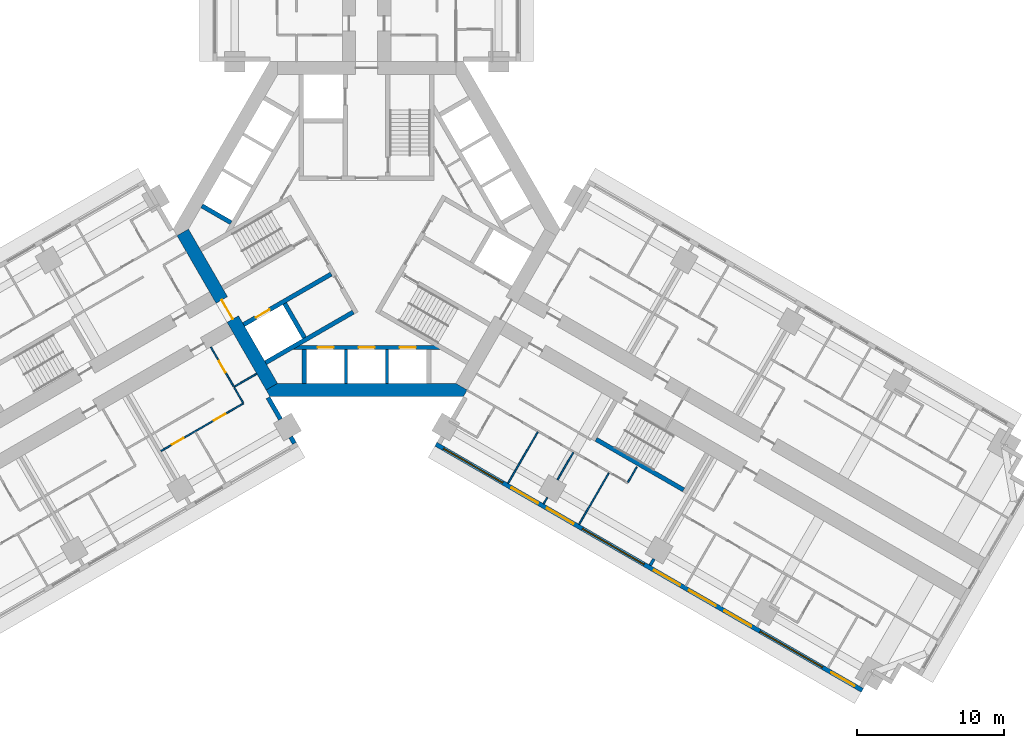
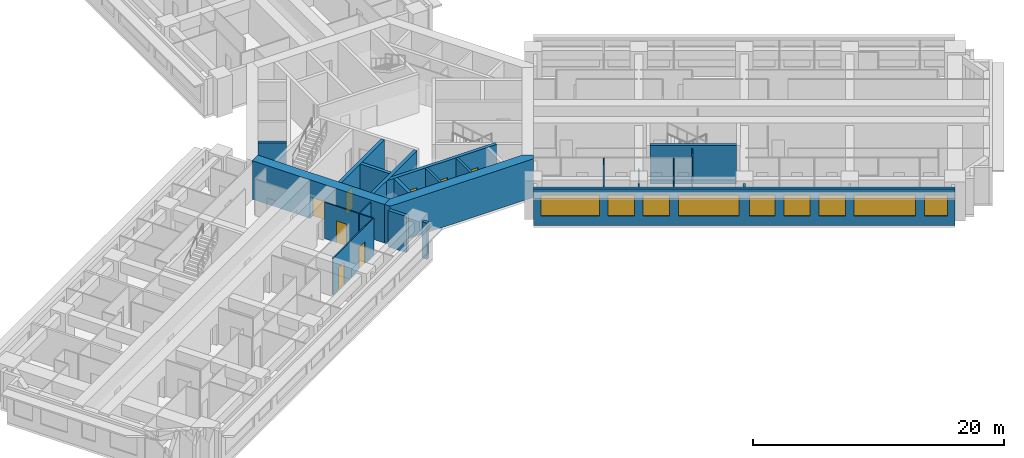
# One storey, part 6 of 15: 24 walls, 9 windows, 8 doors, 17 openings.
"""IFC4 building model written with IfcOpenShell, lengths in metres."""

from ifc_helpers import new_model, si_unit, direction, frame, frame_2d, origin, place, context, subcontext, project, spatial, polyline, rectangle, outline, extrude, material, layer, layer_set, type_object, element, fill, save


model = new_model("IFC4")

# Units and contexts
model_context = context("Model", 3, precision=1e-05, world=origin(), true_north=direction((0.0, 1.0)))
body_context = subcontext(model_context, "Body", "Model", "MODEL_VIEW")
ifc_project = project(units=[si_unit("LENGTHUNIT", "METRE"), si_unit("AREAUNIT", "SQUARE_METRE"), si_unit("VOLUMEUNIT", "CUBIC_METRE"), si_unit("PLANEANGLEUNIT", "RADIAN"), si_unit("MASSUNIT", "GRAM", prefix="KILO")], contexts=[model_context])

# Site, building, storey
site_placement = place(None, origin())
site = spatial("IfcSite", under=ifc_project, at=site_placement, CompositionType="ELEMENT")
building_placement = place(site_placement, origin())
building = spatial("IfcBuilding", under=site, at=building_placement, Name="Impinga Residences", CompositionType="ELEMENT")
storey_placement = place(building_placement, frame((0.0, 0.0, 82.25)))
storey = spatial("IfcBuildingStorey", under=building, at=storey_placement, Name="L20", CompositionType="ELEMENT", Elevation=82.25)

# Wall, openings, windows
ifc_material_1 = material(Name="Terracotta rainscreen on blockwork", Category="masonry")
ifc_layer_1 = layer(ifc_material_1, 0.300048828125)
ifc_layer_set_1 = layer_set([ifc_layer_1], Name="EW1 external wall, terracotta rainscreen on blockwork 300")
wall_type_1 = type_object("IfcWallType", Name="EW1 external wall, terracotta rainscreen on blockwork 300", PredefinedType="SOLIDWALL", material=ifc_layer_set_1)
wall_1_placement = place(storey_placement, frame((33.823486328125, -31.479248046875, 0.0), z_axis=(0.0, 0.0, 1.0), x_axis=(-0.866024291668, 0.500001926238, 0.0)))
wall_1 = element("IfcWall", 1, at=wall_1_placement, inside=storey, type_object=wall_type_1, Name="External wall EW1 L20", PredefinedType="SOLIDWALL", context=body_context, shape_type="SweptSolid", body=[
    extrude(rectangle(XDim=33.599853515625, YDim=0.300048828125, at=frame_2d((16.7998046875, 0.0))), origin(), (0.0, 0.0, 1.0), 3.530029296875),
])
opening_1_placement = place(wall_1_placement, frame((0.60009765625, 0.0, 0.89990234375)))
opening_1 = element("IfcOpeningElement", 2, at=opening_1_placement, cuts=wall_1, Name="Opening W15", PredefinedType="OPENING", context=body_context, shape_type="SweptSolid", body=[
    extrude(rectangle(XDim=1.85009765625, YDim=2.050048828125, at=frame_2d((0.925048828125, 1.02490234375))), frame((0.0, 0.159912109375, 0.0), z_axis=(0.0, -1.0, 0.0), x_axis=(1.0, 0.0, 0.0)), (0.0, 0.0, 1.0), 0.320068359375),
])
opening_2_placement = place(wall_1_placement, frame((3.14990234375, 0.0, 0.89990234375)))
opening_2 = element("IfcOpeningElement", 3, at=opening_2_placement, cuts=wall_1, Name="Opening W16", PredefinedType="OPENING", context=body_context, shape_type="SweptSolid", body=[
    extrude(rectangle(XDim=4.89990234375, YDim=2.050048828125, at=frame_2d((2.449951171875, 1.02490234375))), frame((0.0, 0.159912109375, 0.0), z_axis=(0.0, -1.0, 0.0), x_axis=(1.0, 0.0, 0.0)), (0.0, 0.0, 1.0), 0.320068359375),
])
opening_3_placement = place(wall_1_placement, frame((8.75, 0.0, 0.89990234375)))
opening_3 = element("IfcOpeningElement", 4, at=opening_3_placement, cuts=wall_1, Name="Opening W9", PredefinedType="OPENING", context=body_context, shape_type="SweptSolid", body=[
    extrude(rectangle(XDim=2.10009765625, YDim=2.050048828125, at=frame_2d((1.050048828125, 1.02490234375))), frame((0.0, 0.159912109375, 0.0), z_axis=(0.0, -1.0, 0.0), x_axis=(1.0, 0.0, 0.0)), (0.0, 0.0, 1.0), 0.320068359375),
])
opening_4_placement = place(wall_1_placement, frame((11.550048828125, 0.0, 0.89990234375)))
opening_4 = element("IfcOpeningElement", 5, at=opening_4_placement, cuts=wall_1, Name="Opening W9", PredefinedType="OPENING", context=body_context, shape_type="SweptSolid", body=[
    extrude(rectangle(XDim=2.10009765625, YDim=2.050048828125, at=frame_2d((1.050048828125, 1.02490234375))), frame((0.0, 0.159912109375, 0.0), z_axis=(0.0, -1.0, 0.0), x_axis=(1.0, 0.0, 0.0)), (0.0, 0.0, 1.0), 0.320068359375),
])
opening_5_placement = place(wall_1_placement, frame((14.35009765625, 0.0, 0.89990234375)))
opening_5 = element("IfcOpeningElement", 6, at=opening_5_placement, cuts=wall_1, Name="Opening W14", PredefinedType="OPENING", context=body_context, shape_type="SweptSolid", body=[
    extrude(rectangle(XDim=2.050048828125, YDim=2.050048828125, at=frame_2d((1.02490234375, 1.02490234375))), frame((0.0, 0.159912109375, 0.0), z_axis=(0.0, -1.0, 0.0), x_axis=(1.0, 0.0, 0.0)), (0.0, 0.0, 1.0), 0.320068359375),
])
opening_6_placement = place(wall_1_placement, frame((17.199951171875, 0.0, 0.89990234375)))
opening_6 = element("IfcOpeningElement", 7, at=opening_6_placement, cuts=wall_1, Name="Opening W6", PredefinedType="OPENING", context=body_context, shape_type="SweptSolid", body=[
    extrude(rectangle(XDim=4.85009765625, YDim=2.050048828125, at=frame_2d((2.425048828125, 1.02490234375))), frame((0.0, 0.159912109375, 0.0), z_axis=(0.0, -1.0, 0.0), x_axis=(1.0, 0.0, 0.0)), (0.0, 0.0, 1.0), 0.320068359375),
])
opening_7_placement = place(wall_1_placement, frame((22.75, 0.0, 0.89990234375)))
opening_7 = element("IfcOpeningElement", 8, at=opening_7_placement, cuts=wall_1, Name="Opening W9", PredefinedType="OPENING", context=body_context, shape_type="SweptSolid", body=[
    extrude(rectangle(XDim=2.10009765625, YDim=2.050048828125, at=frame_2d((1.050048828125, 1.02490234375))), frame((0.0, 0.159912109375, 0.0), z_axis=(0.0, -1.0, 0.0), x_axis=(1.0, 0.0, 0.0)), (0.0, 0.0, 1.0), 0.320068359375),
])
opening_8_placement = place(wall_1_placement, frame((25.550048828125, 0.0, 0.89990234375)))
opening_8 = element("IfcOpeningElement", 9, at=opening_8_placement, cuts=wall_1, Name="Opening W9", PredefinedType="OPENING", context=body_context, shape_type="SweptSolid", body=[
    extrude(rectangle(XDim=2.10009765625, YDim=2.050048828125, at=frame_2d((1.050048828125, 1.02490234375))), frame((0.0, 0.159912109375, 0.0), z_axis=(0.0, -1.0, 0.0), x_axis=(1.0, 0.0, 0.0)), (0.0, 0.0, 1.0), 0.320068359375),
])
opening_9_placement = place(wall_1_placement, frame((28.35009765625, 0.0, 0.89990234375)))
opening_9 = element("IfcOpeningElement", 10, at=opening_9_placement, cuts=wall_1, Name="Opening W10", PredefinedType="OPENING", context=body_context, shape_type="SweptSolid", body=[
    extrude(rectangle(XDim=4.64990234375, YDim=2.050048828125, at=frame_2d((2.324951171875, 1.02490234375))), frame((0.0, 0.159912109375, 0.0), z_axis=(0.0, -1.0, 0.0), x_axis=(1.0, 0.0, 0.0)), (0.0, 0.0, 1.0), 0.320068359375),
])
ifc_material_2 = material(Name="Aluminium window, clear double glazing", Category="aluminium")
window_type_1 = type_object("IfcWindowType", Name="W10 ribbon window 4650x2050", PartitioningType="SINGLE_PANEL", PredefinedType="WINDOW", material=ifc_material_2)
window_1_placement = place(opening_9_placement, origin())
window_1 = element("IfcWindow", 11, at=window_1_placement, inside=storey, type_object=window_type_1, Name="Window L20", OverallHeight=2.050048828125, OverallWidth=4.64990234375, PartitioningType="SINGLE_PANEL", PredefinedType="WINDOW", context=body_context, shape_type="SweptSolid", body=[
    extrude(rectangle(XDim=4.64990234375, YDim=2.050048828125, at=frame_2d((2.324951171875, 1.02490234375))), frame((0.0, 0.030029296875, 0.0), z_axis=(0.0, -1.0, 0.0), x_axis=(1.0, 0.0, 0.0)), (0.0, 0.0, 1.0), 0.06005859375),
])
fill(opening_9, window_1)
window_type_2 = type_object("IfcWindowType", Name="W14 ribbon window 2050x2050", PartitioningType="SINGLE_PANEL", PredefinedType="WINDOW", material=ifc_material_2)
window_2_placement = place(opening_5_placement, origin())
window_2 = element("IfcWindow", 12, at=window_2_placement, inside=storey, type_object=window_type_2, Name="Window L20", OverallHeight=2.050048828125, OverallWidth=2.050048828125, PartitioningType="SINGLE_PANEL", PredefinedType="WINDOW", context=body_context, shape_type="SweptSolid", body=[
    extrude(rectangle(XDim=2.050048828125, YDim=2.050048828125, at=frame_2d((1.02490234375, 1.02490234375))), frame((0.0, 0.030029296875, 0.0), z_axis=(0.0, -1.0, 0.0), x_axis=(1.0, 0.0, 0.0)), (0.0, 0.0, 1.0), 0.06005859375),
])
fill(opening_5, window_2)
window_type_3 = type_object("IfcWindowType", Name="W15 ribbon window 1850x2050", PartitioningType="SINGLE_PANEL", PredefinedType="WINDOW", material=ifc_material_2)
window_3_placement = place(opening_1_placement, origin())
window_3 = element("IfcWindow", 13, at=window_3_placement, inside=storey, type_object=window_type_3, Name="Window L20", OverallHeight=2.050048828125, OverallWidth=1.85009765625, PartitioningType="SINGLE_PANEL", PredefinedType="WINDOW", context=body_context, shape_type="SweptSolid", body=[
    extrude(rectangle(XDim=1.85009765625, YDim=2.050048828125, at=frame_2d((0.925048828125, 1.02490234375))), frame((0.0, 0.030029296875, 0.0), z_axis=(0.0, -1.0, 0.0), x_axis=(1.0, 0.0, 0.0)), (0.0, 0.0, 1.0), 0.06005859375),
])
fill(opening_1, window_3)
window_type_4 = type_object("IfcWindowType", Name="W16 ribbon window 4900x2050", PartitioningType="SINGLE_PANEL", PredefinedType="WINDOW", material=ifc_material_2)
window_4_placement = place(opening_2_placement, origin())
window_4 = element("IfcWindow", 14, at=window_4_placement, inside=storey, type_object=window_type_4, Name="Window L20", OverallHeight=2.050048828125, OverallWidth=4.89990234375, PartitioningType="SINGLE_PANEL", PredefinedType="WINDOW", context=body_context, shape_type="SweptSolid", body=[
    extrude(rectangle(XDim=4.89990234375, YDim=2.050048828125, at=frame_2d((2.449951171875, 1.02490234375))), frame((0.0, 0.030029296875, 0.0), z_axis=(0.0, -1.0, 0.0), x_axis=(1.0, 0.0, 0.0)), (0.0, 0.0, 1.0), 0.06005859375),
])
fill(opening_2, window_4)
window_type_5 = type_object("IfcWindowType", Name="W6 ribbon window 4850x2050", PartitioningType="SINGLE_PANEL", PredefinedType="WINDOW", material=ifc_material_2)
window_5_placement = place(opening_6_placement, origin())
window_5 = element("IfcWindow", 15, at=window_5_placement, inside=storey, type_object=window_type_5, Name="Window L20", OverallHeight=2.050048828125, OverallWidth=4.85009765625, PartitioningType="SINGLE_PANEL", PredefinedType="WINDOW", context=body_context, shape_type="SweptSolid", body=[
    extrude(rectangle(XDim=4.85009765625, YDim=2.050048828125, at=frame_2d((2.425048828125, 1.02490234375))), frame((0.0, 0.030029296875, 0.0), z_axis=(0.0, -1.0, 0.0), x_axis=(1.0, 0.0, 0.0)), (0.0, 0.0, 1.0), 0.06005859375),
])
fill(opening_6, window_5)
window_type_6 = type_object("IfcWindowType", Name="W9 ribbon window 2100x2050", PartitioningType="SINGLE_PANEL", PredefinedType="WINDOW", material=ifc_material_2)
window_6_placement = place(opening_3_placement, origin())
window_6 = element("IfcWindow", 16, at=window_6_placement, inside=storey, type_object=window_type_6, Name="Window L20", OverallHeight=2.050048828125, OverallWidth=2.10009765625, PartitioningType="SINGLE_PANEL", PredefinedType="WINDOW", context=body_context, shape_type="SweptSolid", body=[
    extrude(rectangle(XDim=2.10009765625, YDim=2.050048828125, at=frame_2d((1.050048828125, 1.02490234375))), frame((0.0, 0.030029296875, 0.0), z_axis=(0.0, -1.0, 0.0), x_axis=(1.0, 0.0, 0.0)), (0.0, 0.0, 1.0), 0.06005859375),
])
fill(opening_3, window_6)
window_7_placement = place(opening_4_placement, origin())
window_7 = element("IfcWindow", 17, at=window_7_placement, inside=storey, type_object=window_type_6, Name="Window L20", OverallHeight=2.050048828125, OverallWidth=2.10009765625, PartitioningType="SINGLE_PANEL", PredefinedType="WINDOW", context=body_context, shape_type="SweptSolid", body=[
    extrude(rectangle(XDim=2.10009765625, YDim=2.050048828125, at=frame_2d((1.050048828125, 1.02490234375))), frame((0.0, 0.030029296875, 0.0), z_axis=(0.0, -1.0, 0.0), x_axis=(1.0, 0.0, 0.0)), (0.0, 0.0, 1.0), 0.06005859375),
])
fill(opening_4, window_7)
window_8_placement = place(opening_7_placement, origin())
window_8 = element("IfcWindow", 18, at=window_8_placement, inside=storey, type_object=window_type_6, Name="Window L20", OverallHeight=2.050048828125, OverallWidth=2.10009765625, PartitioningType="SINGLE_PANEL", PredefinedType="WINDOW", context=body_context, shape_type="SweptSolid", body=[
    extrude(rectangle(XDim=2.10009765625, YDim=2.050048828125, at=frame_2d((1.050048828125, 1.02490234375))), frame((0.0, 0.030029296875, 0.0), z_axis=(0.0, -1.0, 0.0), x_axis=(1.0, 0.0, 0.0)), (0.0, 0.0, 1.0), 0.06005859375),
])
fill(opening_7, window_8)
window_9_placement = place(opening_8_placement, origin())
window_9 = element("IfcWindow", 19, at=window_9_placement, inside=storey, type_object=window_type_6, Name="Window L20", OverallHeight=2.050048828125, OverallWidth=2.10009765625, PartitioningType="SINGLE_PANEL", PredefinedType="WINDOW", context=body_context, shape_type="SweptSolid", body=[
    extrude(rectangle(XDim=2.10009765625, YDim=2.050048828125, at=frame_2d((1.050048828125, 1.02490234375))), frame((0.0, 0.030029296875, 0.0), z_axis=(0.0, -1.0, 0.0), x_axis=(1.0, 0.0, 0.0)), (0.0, 0.0, 1.0), 0.06005859375),
])
fill(opening_8, window_9)

# Walls
wall_2_placement = place(storey_placement, frame((-6.72998046875, -11.506591796875, 0.0), z_axis=(0.0, 0.0, 1.0), x_axis=(0.500062241894, -0.865989465428, 0.0)))
element("IfcWall", 20, at=wall_2_placement, inside=storey, type_object=wall_type_1, Name="External wall EW1 L20", PredefinedType="SOLIDWALL", context=body_context, shape_type="SweptSolid", body=[
    extrude(rectangle(XDim=1.699951171875, YDim=0.300048828125, at=frame_2d((0.85009765625, 0.0))), origin(), (0.0, 0.0, 1.0), 3.530029296875),
])
wall_3_placement = place(storey_placement, frame((-5.179931640625, -14.191162109375, 0.0), z_axis=(0.0, 0.0, 1.0), x_axis=(0.499919672301, -0.866071776036, 0.0)))
element("IfcWall", 21, at=wall_3_placement, inside=storey, type_object=wall_type_1, Name="External wall EW1 L20", PredefinedType="SOLIDWALL", context=body_context, shape_type="SweptSolid", body=[
    extrude(rectangle(XDim=0.5, YDim=0.300048828125, at=frame_2d((0.25, 0.0))), origin(), (0.0, 0.0, 1.0), 3.530029296875),
])
ifc_material_3 = material(Name="Gypsum board on steel studs", Category="steel")
ifc_layer_2 = layer(ifc_material_3, 0.10009765625)
ifc_layer_set_2 = layer_set([ifc_layer_2], Name="Gypsum board on steel studs")
wall_type_2 = type_object("IfcWallType", Name="IP1 partition 100", PredefinedType="PARTITIONING", material=ifc_layer_set_2)
wall_4_placement = place(storey_placement, frame((-7.5, -9.872802734375, 0.0), z_axis=(0.0, 0.0, 1.0), x_axis=(-0.866047807691, -0.499961193289, 0.0)))
element("IfcWall", 22, at=wall_4_placement, inside=storey, type_object=wall_type_2, Name="Partition L20-WA1:DIV0", PredefinedType="PARTITIONING", context=body_context, shape_type="SweptSolid", body=[
    extrude(rectangle(XDim=1.800048828125, YDim=0.10009765625, at=frame_2d((0.89990234375, 0.0))), origin(), (0.0, 0.0, 1.0), 3.530029296875),
])

# Wall, openings, doors
wall_5_placement = place(storey_placement, frame((-8.408935546875, -11.8984375, 0.0), z_axis=(0.0, 0.0, 1.0), x_axis=(-0.866024837091, -0.50000098154, 0.0)))
wall_5 = element("IfcWall", 23, at=wall_5_placement, inside=storey, type_object=wall_type_2, Name="Partition L20-WA1:STRIP", PredefinedType="PARTITIONING", context=body_context, shape_type="SweptSolid", body=[
    extrude(rectangle(XDim=6.5, YDim=0.10009765625, at=frame_2d((3.25, 0.0))), origin(), (0.0, 0.0, 1.0), 3.530029296875),
])
opening_10_placement = place(wall_5_placement, frame((1.425048828125, 0.0, 0.0)))
opening_10 = element("IfcOpeningElement", 24, at=opening_10_placement, cuts=wall_5, Name="Opening D2", PredefinedType="OPENING", context=body_context, shape_type="SweptSolid", body=[
    extrude(rectangle(XDim=0.89990234375, YDim=2.10009765625, at=frame_2d((0.449951171875, 1.050048828125))), frame((0.0, 0.06005859375, 0.0), z_axis=(0.0, -1.0, 0.0), x_axis=(1.0, 0.0, 0.0)), (0.0, 0.0, 1.0), 0.1201171875),
])
opening_11_placement = place(wall_5_placement, frame((4.72509765625, 0.0, 0.0)))
opening_11 = element("IfcOpeningElement", 25, at=opening_11_placement, cuts=wall_5, Name="Opening D2", PredefinedType="OPENING", context=body_context, shape_type="SweptSolid", body=[
    extrude(rectangle(XDim=0.89990234375, YDim=2.10009765625, at=frame_2d((0.449951171875, 1.050048828125))), frame((0.0, 0.06005859375, 0.0), z_axis=(0.0, -1.0, 0.0), x_axis=(1.0, 0.0, 0.0)), (0.0, 0.0, 1.0), 0.1201171875),
])
ifc_material_4 = material(Name="Timber door set", Category="wood")
door_type_1 = type_object("IfcDoorType", Name="D2 internal door 900x2100", OperationType="SINGLE_SWING_LEFT", PredefinedType="DOOR", material=ifc_material_4)
door_1_placement = place(opening_10_placement, origin())
door_1 = element("IfcDoor", 26, at=door_1_placement, inside=storey, type_object=door_type_1, Name="Apartment L20-WA1 room door", OperationType="SINGLE_SWING_LEFT", OverallHeight=2.10009765625, OverallWidth=0.89990234375, PredefinedType="DOOR", context=body_context, shape_type="SweptSolid", body=[
    extrude(rectangle(XDim=0.89990234375, YDim=2.10009765625, at=frame_2d((0.449951171875, 1.050048828125))), frame((0.0, 0.02490234375, 0.0), z_axis=(0.0, -1.0, 0.0), x_axis=(1.0, 0.0, 0.0)), (0.0, 0.0, 1.0), 0.050048828125),
])
fill(opening_10, door_1)
door_2_placement = place(opening_11_placement, origin())
door_2 = element("IfcDoor", 27, at=door_2_placement, inside=storey, type_object=door_type_1, Name="Apartment L20-WA1 room door", OperationType="SINGLE_SWING_RIGHT", OverallHeight=2.10009765625, OverallWidth=0.89990234375, PredefinedType="DOOR", context=body_context, shape_type="SweptSolid", body=[
    extrude(rectangle(XDim=0.89990234375, YDim=2.10009765625, at=frame_2d((0.449951171875, 1.050048828125))), frame((0.0, 0.02490234375, 0.0), z_axis=(0.0, -1.0, 0.0), x_axis=(1.0, 0.0, 0.0)), (0.0, 0.0, 1.0), 0.050048828125),
])
fill(opening_11, door_2)

# Wall
wall_6_placement = place(storey_placement, frame((-9.033935546875, -10.81591796875, 0.0), z_axis=(0.0, 0.0, 1.0), x_axis=(0.500033551112, -0.866006032174, 0.0)))
element("IfcWall", 28, at=wall_6_placement, inside=storey, type_object=wall_type_2, Name="Partition L20-WA1:SE0", PredefinedType="PARTITIONING", context=body_context, shape_type="SweptSolid", body=[
    extrude(rectangle(XDim=1.2001953125, YDim=0.10009765625, at=frame_2d((0.60009765625, 0.0))), origin(), (0.0, 0.0, 1.0), 3.530029296875),
])

# Wall, opening, door
wall_7_placement = place(storey_placement, frame((-10.6337890625, -8.044677734375, 0.0), z_axis=(0.0, 0.0, 1.0), x_axis=(0.49999285859, -0.86602952684, 0.0)))
wall_7 = element("IfcWall", 29, at=wall_7_placement, inside=storey, type_object=wall_type_2, Name="Partition L20-WA1:IB1", PredefinedType="PARTITIONING", context=body_context, shape_type="SweptSolid", body=[
    extrude(rectangle(XDim=3.10009765625, YDim=0.10009765625, at=frame_2d((1.550048828125, 0.0))), origin(), (0.0, 0.0, 1.0), 3.530029296875),
])
opening_12_placement = place(wall_7_placement, frame((1.10009765625, 0.0, 0.0)))
opening_12 = element("IfcOpeningElement", 30, at=opening_12_placement, cuts=wall_7, Name="Opening D2", PredefinedType="OPENING", context=body_context, shape_type="SweptSolid", body=[
    extrude(rectangle(XDim=0.89990234375, YDim=2.10009765625, at=frame_2d((0.449951171875, 1.050048828125))), frame((0.0, 0.06005859375, 0.0), z_axis=(0.0, -1.0, 0.0), x_axis=(1.0, 0.0, 0.0)), (0.0, 0.0, 1.0), 0.1201171875),
])
door_3_placement = place(opening_12_placement, origin())
door_3 = element("IfcDoor", 31, at=door_3_placement, inside=storey, type_object=door_type_1, Name="Apartment L20-WA1 bathroom door", OperationType="SINGLE_SWING_LEFT", OverallHeight=2.10009765625, OverallWidth=0.89990234375, PredefinedType="DOOR", context=body_context, shape_type="SweptSolid", body=[
    extrude(rectangle(XDim=0.89990234375, YDim=2.10009765625, at=frame_2d((0.449951171875, 1.050048828125))), frame((0.0, 0.02490234375, 0.0), z_axis=(0.0, -1.0, 0.0), x_axis=(1.0, 0.0, 0.0)), (0.0, 0.0, 1.0), 0.050048828125),
])
fill(opening_12, door_3)

# Walls
wall_8_placement = place(storey_placement, frame((18.43017578125, -16.240966796875, 0.0), z_axis=(0.0, 0.0, 1.0), x_axis=(-0.499880961361, -0.866094119867, 0.0)))
element("IfcWall", 32, at=wall_8_placement, inside=storey, type_object=wall_type_2, Name="Partition L20-EF1:SE1", PredefinedType="PARTITIONING", context=body_context, shape_type="SweptSolid", body=[
    extrude(rectangle(XDim=1.199951171875, YDim=0.10009765625, at=frame_2d((0.60009765625, 0.0))), origin(), (0.0, 0.0, 1.0), 3.530029296875),
])
wall_9_placement = place(storey_placement, frame((11.6748046875, -13.841796875, 0.0), z_axis=(0.0, 0.0, 1.0), x_axis=(-0.500035537042, -0.866004885491, 0.0)))
element("IfcWall", 33, at=wall_9_placement, inside=storey, type_object=wall_type_2, Name="Partition L20-EF1:OB1", PredefinedType="PARTITIONING", context=body_context, shape_type="SweptSolid", body=[
    extrude(rectangle(XDim=4.050048828125, YDim=0.10009765625, at=frame_2d((2.02490234375, 0.0))), origin(), (0.0, 0.0, 1.0), 3.530029296875),
])
wall_10_placement = place(storey_placement, frame((14.099609375, -15.241943359375, 0.0), z_axis=(0.0, 0.0, 1.0), x_axis=(-0.500010803666, -0.866019166195, 0.0)))
element("IfcWall", 34, at=wall_10_placement, inside=storey, type_object=wall_type_2, Name="Partition L20-EF1:OB2", PredefinedType="PARTITIONING", context=body_context, shape_type="SweptSolid", body=[
    extrude(rectangle(XDim=2.14990234375, YDim=0.10009765625, at=frame_2d((1.074951171875, 0.0))), origin(), (0.0, 0.0, 1.0), 2.47998046875),
])
wall_11_placement = place(storey_placement, frame((12.32470703125, -18.316162109375, 0.0), z_axis=(0.0, 0.0, 1.0), x_axis=(-0.499919672301, -0.866071776036, 0.0)))
element("IfcWall", 35, at=wall_11_placement, inside=storey, type_object=wall_type_2, Name="Partition L20-EF1:OB2b", PredefinedType="PARTITIONING", context=body_context, shape_type="SweptSolid", body=[
    extrude(rectangle(XDim=0.5, YDim=0.10009765625, at=frame_2d((0.25, 0.0))), origin(), (0.0, 0.0, 1.0), 3.530029296875),
])
wall_12_placement = place(storey_placement, frame((16.5244140625, -16.641845703125, 0.0), z_axis=(0.0, 0.0, 1.0), x_axis=(-0.499990325971, -0.866030989016, 0.0)))
element("IfcWall", 36, at=wall_12_placement, inside=storey, type_object=wall_type_2, Name="Partition L20-EF1:OB3", PredefinedType="PARTITIONING", context=body_context, shape_type="SweptSolid", body=[
    extrude(rectangle(XDim=4.0498046875, YDim=0.10009765625, at=frame_2d((2.02490234375, 0.0))), origin(), (0.0, 0.0, 1.0), 3.530029296875),
])
ifc_material_5 = material(Name="Concrete blockwork", Category="masonry")
ifc_layer_3 = layer(ifc_material_5, 0.199951171875)
ifc_layer_set_3 = layer_set([ifc_layer_3], Name="PW1 party wall between apartments 200")
wall_type_3 = type_object("IfcWallType", Name="PW1 party wall between apartments 200", PredefinedType="SOLIDWALL", material=ifc_layer_set_3)
wall_13_placement = place(storey_placement, frame((19.59912109375, -22.51611328125, 0.0), z_axis=(0.0, 0.0, 1.0), x_axis=(-0.499919672301, -0.866071776036, 0.0)))
element("IfcWall", 37, at=wall_13_placement, inside=storey, type_object=wall_type_3, Name="Party wall between apartments L20-EF1:PARTYb", PredefinedType="SOLIDWALL", context=body_context, shape_type="SweptSolid", body=[
    extrude(rectangle(XDim=0.5, YDim=0.199951171875, at=frame_2d((0.25, 0.0))), origin(), (0.0, 0.0, 1.0), 3.530029296875),
])
ifc_material_6 = material(Name="Concrete C60/75", Category="concrete")
ifc_layer_4 = layer(ifc_material_6, 0.300048828125)
ifc_layer_set_4 = layer_set([ifc_layer_4], Name="Concrete C60/75")
wall_type_4 = type_object("IfcWallType", Name="SE1 wing stair enclosure wall 300", PredefinedType="SOLIDWALL", material=ifc_layer_set_4)
wall_14_placement = place(storey_placement, frame((15.654052734375, -14.349365234375, 0.0), z_axis=(0.0, 0.0, 1.0), x_axis=(0.866013532718, -0.500020560727, 0.0)))
element("IfcWall", 38, at=wall_14_placement, inside=storey, type_object=wall_type_4, Name="Stair enclosure wall SE1 E OUT L20", PredefinedType="SOLIDWALL", context=body_context, shape_type="SweptSolid", body=[
    extrude(rectangle(XDim=6.900146484375, YDim=0.300048828125, at=frame_2d((3.4501953125, 0.0))), origin(), (0.0, 0.0, 1.0), 3.75),
])

# Wall, opening, door
ifc_material_7 = material(Name="Concrete C70/85", Category="concrete")
ifc_layer_5 = layer(ifc_material_7, 0.89990234375)
ifc_layer_set_5 = layer_set([ifc_layer_5], Name="Concrete C70/85")
wall_type_5 = type_object("IfcWallType", Name="SW1 core wall 900", PredefinedType="SHEAR", material=ifc_layer_set_5)
wall_15_placement = place(storey_placement, frame((-6.47021484375, -10.756591796875, 0.0), z_axis=(0.0, 0.0, 1.0), x_axis=(-0.499997612506, 0.8660267822, 0.0)))
wall_15 = element("IfcWall", 39, at=wall_15_placement, inside=storey, type_object=wall_type_5, Name="Core wall SW1 W:FACE L20", PredefinedType="SHEAR", context=body_context, shape_type="SweptSolid", body=[
    extrude(rectangle(XDim=12.16064453125, YDim=0.89990234375, at=frame_2d((6.080322265625, 0.0))), origin(), (0.0, 0.0, 1.0), 3.75),
])
opening_13_placement = place(wall_15_placement, frame((5.330322265625, 0.0, 0.0)))
opening_13 = element("IfcOpeningElement", 40, at=opening_13_placement, cuts=wall_15, Name="Opening D4", PredefinedType="OPENING", context=body_context, shape_type="SweptSolid", body=[
    extrude(rectangle(XDim=1.5, YDim=2.10009765625, at=frame_2d((0.75, 1.050048828125))), frame((0.0, 0.4599609375, 0.0), z_axis=(0.0, -1.0, 0.0), x_axis=(1.0, 0.0, 0.0)), (0.0, 0.0, 1.0), 0.919921875),
])
door_type_2 = type_object("IfcDoorType", Name="D4 lobby door pair 1500x2100", OperationType="DOUBLE_DOOR_DOUBLE_SWING", PredefinedType="DOOR", material=ifc_material_4)
door_4_placement = place(opening_13_placement, origin())
door_4 = element("IfcDoor", 41, at=door_4_placement, inside=storey, type_object=door_type_2, Name="Lobby door W", OperationType="DOUBLE_DOOR_DOUBLE_SWING", OverallHeight=2.10009765625, OverallWidth=1.5, PredefinedType="DOOR", context=body_context, shape_type="SweptSolid", body=[
    extrude(rectangle(XDim=1.5, YDim=2.10009765625, at=frame_2d((0.75, 1.050048828125))), frame((0.0, 0.02490234375, 0.0), z_axis=(0.0, -1.0, 0.0), x_axis=(1.0, 0.0, 0.0)), (0.0, 0.0, 1.0), 0.050048828125),
])
fill(opening_13, door_4)

# Wall
wall_16_placement = place(storey_placement, origin())
element("IfcWall", 42, at=wall_16_placement, inside=storey, type_object=wall_type_5, Name="Core wall SW1 N:EXPOSED L20", PredefinedType="SHEAR", context=body_context, shape_type="SweptSolid", body=[
    extrude(outline(polyline([(-6.60009765625, -11.431640625), (6.60009765625, -11.431640625), (6.85986328125, -10.9814453125), (6.080322265625, -10.531494140625), (-6.080322265625, -10.531494140625), (-6.85986328125, -10.9814453125), (-6.60009765625, -11.431640625)])), origin(), (0.0, 0.0, 1.0), 3.75),
])

# Wall, opening, door
ifc_layer_6 = layer(ifc_material_7, 0.300048828125)
ifc_layer_set_6 = layer_set([ifc_layer_6], Name="Concrete C70/85")
wall_type_6 = type_object("IfcWallType", Name="SW5 core inner wall, stairs, shafts and lobbies 300", PredefinedType="SHEAR", material=ifc_layer_set_6)
wall_17_placement = place(storey_placement, frame((-2.418701171875, -3.07080078125, 0.0), z_axis=(0.0, 0.0, 1.0), x_axis=(-0.86602711848, -0.499997030048, 0.0)))
wall_17 = element("IfcWall", 43, at=wall_17_placement, inside=storey, type_object=wall_type_6, Name="Core wall SW5 W:FF-IN L20", PredefinedType="SHEAR", context=body_context, shape_type="SweptSolid", body=[
    extrude(rectangle(XDim=6.9013671875, YDim=0.300048828125, at=frame_2d((3.45068359375, 0.0))), origin(), (0.0, 0.0, 1.0), 3.75),
])
opening_14_placement = place(wall_17_placement, frame((4.85009765625, 0.0, 0.0)))
opening_14 = element("IfcOpeningElement", 44, at=opening_14_placement, cuts=wall_17, Name="Opening LD2", PredefinedType="OPENING", context=body_context, shape_type="SweptSolid", body=[
    extrude(rectangle(XDim=1.10009765625, YDim=2.10009765625, at=frame_2d((0.550048828125, 1.050048828125))), frame((0.0, 0.159912109375, 0.0), z_axis=(0.0, -1.0, 0.0), x_axis=(1.0, 0.0, 0.0)), (0.0, 0.0, 1.0), 0.320068359375),
])
ifc_material_8 = material(Name="Steel lift landing door", Category="steel")
door_type_3 = type_object("IfcDoorType", Name="LD2 firefighting lift landing door 1100x2100", OperationType="DOUBLE_DOOR_SLIDING", PredefinedType="DOOR", material=ifc_material_8)
door_5_placement = place(opening_14_placement, origin())
door_5 = element("IfcDoor", 45, at=door_5_placement, inside=storey, type_object=door_type_3, Name="Firefighting lift landing door F2", OperationType="DOUBLE_DOOR_SLIDING", OverallHeight=2.10009765625, OverallWidth=1.10009765625, PredefinedType="DOOR", context=body_context, shape_type="SweptSolid", body=[
    extrude(rectangle(XDim=1.10009765625, YDim=2.10009765625, at=frame_2d((0.550048828125, 1.050048828125))), frame((0.0, 0.02490234375, 0.0), z_axis=(0.0, -1.0, 0.0), x_axis=(1.0, 0.0, 0.0)), (0.0, 0.0, 1.0), 0.050048828125),
])
fill(opening_14, door_5)

# Walls
wall_18_placement = place(storey_placement, frame((-0.918701171875, -5.668701171875, 0.0), z_axis=(0.0, 0.0, 1.0), x_axis=(-0.866011800373, -0.500023561059, 0.0)))
element("IfcWall", 46, at=wall_18_placement, inside=storey, type_object=wall_type_6, Name="Core wall SW5 W:FF-OUT L20", PredefinedType="SHEAR", context=body_context, shape_type="SweptSolid", body=[
    extrude(rectangle(XDim=6.901611328125, YDim=0.300048828125, at=frame_2d((3.45068359375, 0.0))), origin(), (0.0, 0.0, 1.0), 3.75),
])
wall_19_placement = place(storey_placement, frame((-4.2412109375, -7.413818359375, 0.0), z_axis=(0.0, 0.0, 1.0), x_axis=(-0.500048589285, 0.86599734893, 0.0)))
element("IfcWall", 47, at=wall_19_placement, inside=storey, type_object=wall_type_6, Name="Core wall SW5 W:FF-RS L20", PredefinedType="SHEAR", context=body_context, shape_type="SweptSolid", body=[
    extrude(rectangle(XDim=2.699951171875, YDim=0.300048828125, at=frame_2d((1.35009765625, 0.0))), origin(), (0.0, 0.0, 1.0), 3.75),
])

# Wall, openings, doors
wall_20_placement = place(storey_placement, frame((5.09765625, -8.08154296875, 0.0), z_axis=(0.0, 0.0, 1.0), x_axis=(-1.0, 0.0, 0.0)))
wall_20 = element("IfcWall", 48, at=wall_20_placement, inside=storey, type_object=wall_type_6, Name="Core wall SW5 N:BANK-FRONT L20", PredefinedType="SHEAR", context=body_context, shape_type="SweptSolid", body=[
    extrude(rectangle(XDim=10.1953125, YDim=0.300048828125, at=frame_2d((5.09765625, 0.0))), origin(), (0.0, 0.0, 1.0), 3.75),
])
opening_15_placement = place(wall_20_placement, frame((1.74755859375, 0.0, 0.0)))
opening_15 = element("IfcOpeningElement", 49, at=opening_15_placement, cuts=wall_20, Name="Opening LD1", PredefinedType="OPENING", context=body_context, shape_type="SweptSolid", body=[
    extrude(rectangle(XDim=1.10009765625, YDim=2.10009765625, at=frame_2d((0.550048828125, 1.050048828125))), frame((0.0, 0.159912109375, 0.0), z_axis=(0.0, -1.0, 0.0), x_axis=(1.0, 0.0, 0.0)), (0.0, 0.0, 1.0), 0.320068359375),
])
opening_16_placement = place(wall_20_placement, frame((4.547607421875, 0.0, 0.0)))
opening_16 = element("IfcOpeningElement", 50, at=opening_16_placement, cuts=wall_20, Name="Opening LD1", PredefinedType="OPENING", context=body_context, shape_type="SweptSolid", body=[
    extrude(rectangle(XDim=1.10009765625, YDim=2.10009765625, at=frame_2d((0.550048828125, 1.050048828125))), frame((0.0, 0.159912109375, 0.0), z_axis=(0.0, -1.0, 0.0), x_axis=(1.0, 0.0, 0.0)), (0.0, 0.0, 1.0), 0.320068359375),
])
opening_17_placement = place(wall_20_placement, frame((7.34765625, 0.0, 0.0)))
opening_17 = element("IfcOpeningElement", 51, at=opening_17_placement, cuts=wall_20, Name="Opening LD1", PredefinedType="OPENING", context=body_context, shape_type="SweptSolid", body=[
    extrude(rectangle(XDim=1.10009765625, YDim=2.10009765625, at=frame_2d((0.550048828125, 1.050048828125))), frame((0.0, 0.159912109375, 0.0), z_axis=(0.0, -1.0, 0.0), x_axis=(1.0, 0.0, 0.0)), (0.0, 0.0, 1.0), 0.320068359375),
])
door_type_4 = type_object("IfcDoorType", Name="LD1 passenger lift landing door 1100x2100", OperationType="DOUBLE_DOOR_SLIDING", PredefinedType="DOOR", material=ifc_material_8)
door_6_placement = place(opening_15_placement, origin())
door_6 = element("IfcDoor", 52, at=door_6_placement, inside=storey, type_object=door_type_4, Name="Lift landing door P1", OperationType="DOUBLE_DOOR_SLIDING", OverallHeight=2.10009765625, OverallWidth=1.10009765625, PredefinedType="DOOR", context=body_context, shape_type="SweptSolid", body=[
    extrude(rectangle(XDim=1.10009765625, YDim=2.10009765625, at=frame_2d((0.550048828125, 1.050048828125))), frame((0.0, 0.02490234375, 0.0), z_axis=(0.0, -1.0, 0.0), x_axis=(1.0, 0.0, 0.0)), (0.0, 0.0, 1.0), 0.050048828125),
])
fill(opening_15, door_6)
door_7_placement = place(opening_16_placement, origin())
door_7 = element("IfcDoor", 53, at=door_7_placement, inside=storey, type_object=door_type_4, Name="Lift landing door P2", OperationType="DOUBLE_DOOR_SLIDING", OverallHeight=2.10009765625, OverallWidth=1.10009765625, PredefinedType="DOOR", context=body_context, shape_type="SweptSolid", body=[
    extrude(rectangle(XDim=1.10009765625, YDim=2.10009765625, at=frame_2d((0.550048828125, 1.050048828125))), frame((0.0, 0.02490234375, 0.0), z_axis=(0.0, -1.0, 0.0), x_axis=(1.0, 0.0, 0.0)), (0.0, 0.0, 1.0), 0.050048828125),
])
fill(opening_16, door_7)
door_8_placement = place(opening_17_placement, origin())
door_8 = element("IfcDoor", 54, at=door_8_placement, inside=storey, type_object=door_type_4, Name="Lift landing door P3", OperationType="DOUBLE_DOOR_SLIDING", OverallHeight=2.10009765625, OverallWidth=1.10009765625, PredefinedType="DOOR", context=body_context, shape_type="SweptSolid", body=[
    extrude(rectangle(XDim=1.10009765625, YDim=2.10009765625, at=frame_2d((0.550048828125, 1.050048828125))), frame((0.0, 0.02490234375, 0.0), z_axis=(0.0, -1.0, 0.0), x_axis=(1.0, 0.0, 0.0)), (0.0, 0.0, 1.0), 0.050048828125),
])
fill(opening_17, door_8)

# Walls
for number, where, z_axis, x_axis, name in (
    (55, (-4.25, -8.2314453125, 0.0), (0.0, 0.0, 1.0), (0.0, -1.0, 0.0), "Core wall SW5 N:BANK-R L20"),
    (56, (-9.253662109375, 0.43505859375, 0.0), (0.0, 0.0, 1.0), (-0.866007057882, 0.500031774688, 0.0), "Core wall SW5 E:BANK-L L20"),
):
    element("IfcWall", number, at=place(storey_placement, frame(where, z_axis=z_axis, x_axis=x_axis)), inside=storey, type_object=wall_type_6, Name=name, PredefinedType="SHEAR", context=body_context, shape_type="SweptSolid", body=[
        extrude(rectangle(XDim=2.300048828125, YDim=0.300048828125, at=frame_2d((1.14990234375, 0.0))), origin(), (0.0, 0.0, 1.0), 3.75),
    ])
ifc_layer_7 = layer(ifc_material_7, 0.199951171875)
ifc_layer_set_7 = layer_set([ifc_layer_7], Name="Concrete C70/85")
wall_type_7 = type_object("IfcWallType", Name="SW6 lift shaft divider wall 200", PredefinedType="SHEAR", material=ifc_layer_set_7)
for number, where, z_axis, x_axis, name in (
    (57, (1.39990234375, -8.2314453125, 0.0), (0.0, 0.0, 1.0), (0.0, -1.0, 0.0), "Core wall SW6 N:BANK-D1 L20"),
    (58, (-1.39990234375, -8.2314453125, 0.0), (0.0, 0.0, 1.0), (0.0, -1.0, 0.0), "Core wall SW6 N:BANK-D2 L20"),
):
    element("IfcWall", number, at=place(storey_placement, frame(where, z_axis=z_axis, x_axis=x_axis)), inside=storey, type_object=wall_type_7, Name=name, PredefinedType="SHEAR", context=body_context, shape_type="SweptSolid", body=[
        extrude(rectangle(XDim=2.300048828125, YDim=0.199951171875, at=frame_2d((1.14990234375, 0.0))), origin(), (0.0, 0.0, 1.0), 3.75),
    ])

save(model, "model.ifc")
